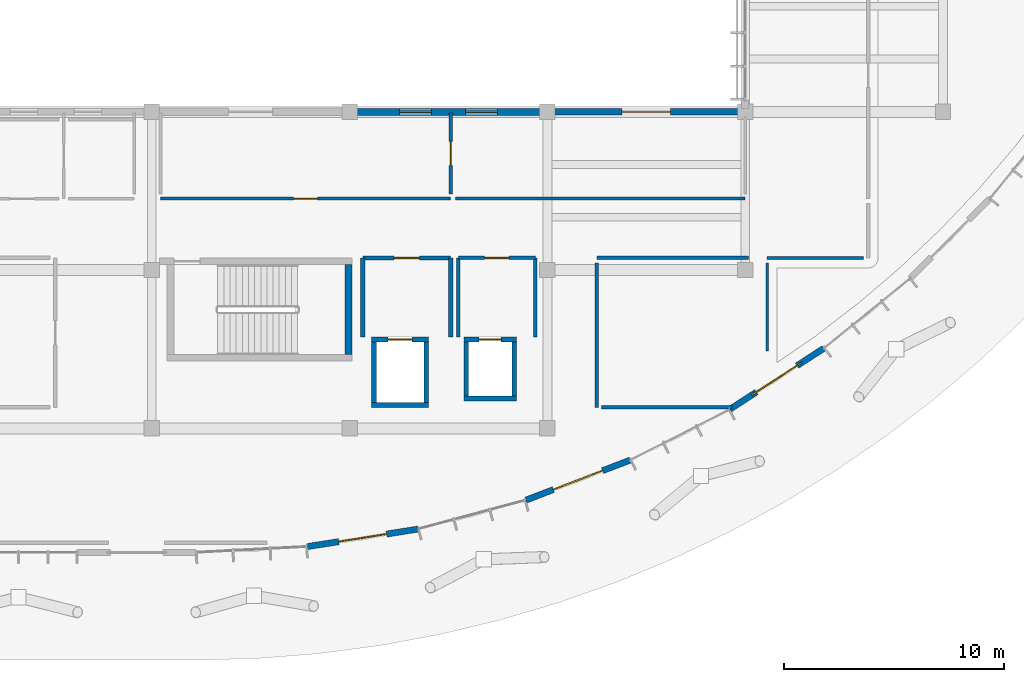
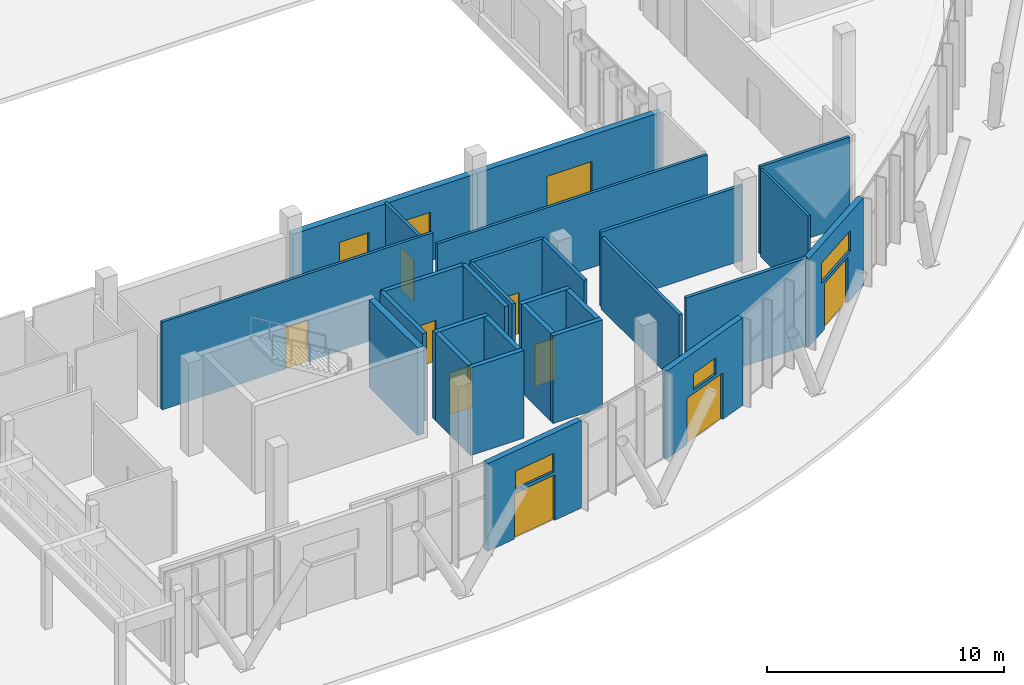
# One storey, part 126 of 151: 28 walls, 10 doors, 5 windows, 15 openings.
"""IFC4 building model written with IfcOpenShell, lengths in metres."""

from ifc_helpers import new_model, si_unit, direction, frame, frame_2d, origin, place, context, subcontext, project, spatial, rectangle, extrude, material, layer, layer_set, type_object, element, fill, save


model = new_model("IFC4")

# Units and contexts
model_context = context("Model", 3, precision=1e-05, world=origin(), true_north=direction((0.0, 1.0)))
body_context = subcontext(model_context, "Body", "Model", "MODEL_VIEW")
ifc_project = project(units=[si_unit("LENGTHUNIT", "METRE"), si_unit("AREAUNIT", "SQUARE_METRE"), si_unit("VOLUMEUNIT", "CUBIC_METRE"), si_unit("PLANEANGLEUNIT", "RADIAN"), si_unit("MASSUNIT", "GRAM", prefix="KILO")], contexts=[model_context])

# Site, building, storey
site_placement = place(None, origin())
site = spatial("IfcSite", under=ifc_project, at=site_placement, CompositionType="ELEMENT")
building_placement = place(site_placement, origin())
building = spatial("IfcBuilding", under=site, at=building_placement, Name="Chiffa Square Polytechnic", CompositionType="ELEMENT")
storey_placement = place(building_placement, origin())
storey = spatial("IfcBuildingStorey", under=building, at=storey_placement, Name="L00", CompositionType="ELEMENT", Elevation=0.0)

# Wall
ifc_material_1 = material(Name="Concrete C40/50", Category="concrete")
ifc_layer_1 = layer(ifc_material_1, 0.300048828125, Name="Concrete C40/50")
ifc_layer_set_1 = layer_set([ifc_layer_1], Name="Concrete C40/50")
wall_type_1 = type_object("IfcWallType", Name="WL-CORE-300", PredefinedType="SHEAR", material=ifc_layer_set_1)
wall_1_placement = place(storey_placement, frame((130.14990234375, 17.75, 0.0), z_axis=(0.0, 0.0, 1.0), x_axis=(0.0, 1.0, 0.0)))
element("IfcWall", 1, at=wall_1_placement, inside=storey, type_object=wall_type_1, Name="Core or enclosure wall WC-CORE-V1A-L00-EAST", PredefinedType="SHEAR", context=body_context, shape_type="SweptSolid", body=[
    extrude(rectangle(XDim=4.10009765625, YDim=0.300048828125, at=frame_2d((2.050048828125, 0.0))), origin(), (0.0, 0.0, 1.0), 4.52001953125),
])

# Wall, openings, door, window
ifc_material_2 = material(Name="Precast concrete C40/50", Category="concrete")
ifc_layer_2 = layer(ifc_material_2, 0.280029296875, Name="Precast concrete C40/50")
ifc_layer_set_2 = layer_set([ifc_layer_2], Name="Precast concrete C40/50")
wall_type_2 = type_object("IfcWallType", Name="WL-EXT-PC280", PredefinedType="SOLIDWALL", material=ifc_layer_set_2)
wall_2_placement = place(storey_placement, frame((128.280029296875, 9.01611328125, 0.0), z_axis=(0.0, 0.0, 1.0), x_axis=(0.98768736594, 0.156440618646, 0.0)))
wall_2 = element("IfcWall", 2, at=wall_2_placement, inside=storey, type_object=wall_type_2, Name="Chiffa Square portico entrance wall WE-V1-L00-PORTAL-03", PredefinedType="SOLIDWALL", context=body_context, shape_type="SweptSolid", body=[
    extrude(rectangle(XDim=5.087646484375, YDim=0.280029296875, at=frame_2d((2.5439453125, 0.0))), origin(), (0.0, 0.0, 1.0), 4.52001953125),
])
opening_1_placement = place(wall_2_placement, frame((1.444091796875, 0.0, 0.0)))
opening_1 = element("IfcOpeningElement", 3, at=opening_1_placement, cuts=wall_2, Name="Opening DE-L00-002", PredefinedType="OPENING", context=body_context, shape_type="SweptSolid", body=[
    extrude(rectangle(XDim=2.199951171875, YDim=2.35009765625, at=frame_2d((1.10009765625, 1.175048828125))), frame((0.0, 0.14990234375, 0.0), z_axis=(0.0, -1.0, 0.0), x_axis=(1.0, 0.0, 0.0)), (0.0, 0.0, 1.0), 0.300048828125),
])
opening_2_placement = place(wall_2_placement, frame((1.493896484375, 0.0, 2.530029296875)))
opening_2 = element("IfcOpeningElement", 4, at=opening_2_placement, cuts=wall_2, Name="Opening WCL-04", PredefinedType="OPENING", context=body_context, shape_type="SweptSolid", body=[
    extrude(rectangle(XDim=2.10009765625, YDim=0.949951171875, at=frame_2d((1.050048828125, 0.47509765625))), frame((0.0, 0.14990234375, 0.0), z_axis=(0.0, -1.0, 0.0), x_axis=(1.0, 0.0, 0.0)), (0.0, 0.0, 1.0), 0.300048828125),
])
ifc_material_3 = material(Name="Aluminium and laminated safety glass", Category="aluminium")
door_type_1 = type_object("IfcDoorType", Name="DR-EXIT-DBL-2200", OperationType="DOUBLE_DOOR_SINGLE_SWING", PredefinedType="DOOR", material=ifc_material_3)
door_1_placement = place(opening_1_placement, origin())
door_1 = element("IfcDoor", 5, at=door_1_placement, inside=storey, type_object=door_type_1, Name="Faculty prow portico entrance door DE-L00-002", OperationType="DOUBLE_DOOR_SINGLE_SWING", OverallHeight=2.35009765625, OverallWidth=2.199951171875, PredefinedType="DOOR", context=body_context, shape_type="SweptSolid", body=[
    extrude(rectangle(XDim=2.199951171875, YDim=2.35009765625, at=frame_2d((1.10009765625, 1.175048828125))), frame((0.0, 0.02490234375, 0.0), z_axis=(0.0, -1.0, 0.0), x_axis=(1.0, 0.0, 0.0)), (0.0, 0.0, 1.0), 0.050048828125),
])
fill(opening_1, door_1)
ifc_material_4 = material(Name="Double glazing in thermally broken aluminium frame", Category="aluminium")
window_type_1 = type_object("IfcWindowType", Name="WIN-CLR-2100X0950", PartitioningType="DOUBLE_PANEL_VERTICAL", PredefinedType="WINDOW", material=ifc_material_4)
window_1_placement = place(opening_2_placement, origin())
window_1 = element("IfcWindow", 6, at=window_1_placement, inside=storey, type_object=window_type_1, Name="Entrance transom clerestory WN-L00-0002", OverallHeight=0.949951171875, OverallWidth=2.10009765625, PartitioningType="DOUBLE_PANEL_VERTICAL", PredefinedType="WINDOW", context=body_context, shape_type="SweptSolid", body=[
    extrude(rectangle(XDim=2.10009765625, YDim=0.949951171875, at=frame_2d((1.050048828125, 0.47509765625))), frame((0.0, 0.030029296875, 0.0), z_axis=(0.0, -1.0, 0.0), x_axis=(1.0, 0.0, 0.0)), (0.0, 0.0, 1.0), 0.06005859375),
])
fill(opening_2, window_1)

wall_3_placement = place(storey_placement, frame((138.218017578125, 11.12890625, 0.0), z_axis=(0.0, 0.0, 1.0), x_axis=(0.933579193457, 0.358371161708, 0.0)))
wall_3 = element("IfcWall", 7, at=wall_3_placement, inside=storey, type_object=wall_type_2, Name="Chiffa Square portico entrance wall WE-V1-L00-PORTAL-05", PredefinedType="SOLIDWALL", context=body_context, shape_type="SweptSolid", body=[
    extrude(rectangle(XDim=5.0869140625, YDim=0.280029296875, at=frame_2d((2.54345703125, 0.0))), origin(), (0.0, 0.0, 1.0), 4.52001953125),
])
opening_3_placement = place(wall_3_placement, frame((1.343017578125, 0.0, 0.0)))
opening_3 = element("IfcOpeningElement", 8, at=opening_3_placement, cuts=wall_3, Name="Opening DE-L00-003", PredefinedType="OPENING", context=body_context, shape_type="SweptSolid", body=[
    extrude(rectangle(XDim=2.39990234375, YDim=2.39990234375, at=frame_2d((1.199951171875, 1.199951171875))), frame((0.0, 0.14990234375, 0.0), z_axis=(0.0, -1.0, 0.0), x_axis=(1.0, 0.0, 0.0)), (0.0, 0.0, 1.0), 0.300048828125),
])
opening_4_placement = place(wall_3_placement, frame((1.79296875, 0.0, 2.580078125)))
opening_4 = element("IfcOpeningElement", 9, at=opening_4_placement, cuts=wall_3, Name="Opening WCL-06", PredefinedType="OPENING", context=body_context, shape_type="SweptSolid", body=[
    extrude(rectangle(XDim=1.5, YDim=0.85009765625, at=frame_2d((0.75, 0.425048828125))), frame((0.0, 0.14990234375, 0.0), z_axis=(0.0, -1.0, 0.0), x_axis=(1.0, 0.0, 0.0)), (0.0, 0.0, 1.0), 0.300048828125),
])
door_type_2 = type_object("IfcDoorType", Name="DR-EXIT-DBL-2400", OperationType="DOUBLE_DOOR_SINGLE_SWING", PredefinedType="DOOR", material=ifc_material_3)
door_2_placement = place(opening_3_placement, origin())
door_2 = element("IfcDoor", 10, at=door_2_placement, inside=storey, type_object=door_type_2, Name="Faculty prow portico entrance door DE-L00-003", OperationType="DOUBLE_DOOR_SINGLE_SWING", OverallHeight=2.39990234375, OverallWidth=2.39990234375, PredefinedType="DOOR", context=body_context, shape_type="SweptSolid", body=[
    extrude(rectangle(XDim=2.39990234375, YDim=2.39990234375, at=frame_2d((1.199951171875, 1.199951171875))), frame((0.0, 0.02490234375, 0.0), z_axis=(0.0, -1.0, 0.0), x_axis=(1.0, 0.0, 0.0)), (0.0, 0.0, 1.0), 0.050048828125),
])
fill(opening_3, door_2)
window_type_2 = type_object("IfcWindowType", Name="WIN-CLR-1500X0850", PartitioningType="DOUBLE_PANEL_VERTICAL", PredefinedType="WINDOW", material=ifc_material_4)
window_2_placement = place(opening_4_placement, origin())
window_2 = element("IfcWindow", 11, at=window_2_placement, inside=storey, type_object=window_type_2, Name="Entrance transom clerestory WN-L00-0003", OverallHeight=0.85009765625, OverallWidth=1.5, PartitioningType="DOUBLE_PANEL_VERTICAL", PredefinedType="WINDOW", context=body_context, shape_type="SweptSolid", body=[
    extrude(rectangle(XDim=1.5, YDim=0.85009765625, at=frame_2d((0.75, 0.425048828125))), frame((0.0, 0.030029296875, 0.0), z_axis=(0.0, -1.0, 0.0), x_axis=(1.0, 0.0, 0.0)), (0.0, 0.0, 1.0), 0.06005859375),
])
fill(opening_4, window_2)

wall_4_placement = place(storey_placement, frame((147.5, 15.260986328125, 0.0), z_axis=(0.0, 0.0, 1.0), x_axis=(0.838621203111, 0.544715042653, 0.0)))
wall_4 = element("IfcWall", 12, at=wall_4_placement, inside=storey, type_object=wall_type_2, Name="Chiffa Square portico entrance wall WE-V1-L00-PORTAL-07", PredefinedType="SOLIDWALL", context=body_context, shape_type="SweptSolid", body=[
    extrude(rectangle(XDim=5.087158203125, YDim=0.280029296875, at=frame_2d((2.54345703125, 0.0))), origin(), (0.0, 0.0, 1.0), 4.52001953125),
])
opening_5_placement = place(wall_4_placement, frame((1.443115234375, 0.0, 0.0)))
opening_5 = element("IfcOpeningElement", 13, at=opening_5_placement, cuts=wall_4, Name="Opening DE-L00-004", PredefinedType="OPENING", context=body_context, shape_type="SweptSolid", body=[
    extrude(rectangle(XDim=2.199951171875, YDim=2.35009765625, at=frame_2d((1.10009765625, 1.175048828125))), frame((0.0, 0.14990234375, 0.0), z_axis=(0.0, -1.0, 0.0), x_axis=(1.0, 0.0, 0.0)), (0.0, 0.0, 1.0), 0.300048828125),
])
opening_6_placement = place(wall_4_placement, frame((1.193115234375, 0.0, 2.530029296875)))
opening_6 = element("IfcOpeningElement", 14, at=opening_6_placement, cuts=wall_4, Name="Opening WCL-02", PredefinedType="OPENING", context=body_context, shape_type="SweptSolid", body=[
    extrude(rectangle(XDim=2.699951171875, YDim=1.050048828125, at=frame_2d((1.35009765625, 0.52490234375))), frame((0.0, 0.14990234375, 0.0), z_axis=(0.0, -1.0, 0.0), x_axis=(1.0, 0.0, 0.0)), (0.0, 0.0, 1.0), 0.300048828125),
])
door_3_placement = place(opening_5_placement, origin())
door_3 = element("IfcDoor", 15, at=door_3_placement, inside=storey, type_object=door_type_1, Name="Faculty prow portico entrance door DE-L00-004", OperationType="DOUBLE_DOOR_SINGLE_SWING", OverallHeight=2.35009765625, OverallWidth=2.199951171875, PredefinedType="DOOR", context=body_context, shape_type="SweptSolid", body=[
    extrude(rectangle(XDim=2.199951171875, YDim=2.35009765625, at=frame_2d((1.10009765625, 1.175048828125))), frame((0.0, 0.02490234375, 0.0), z_axis=(0.0, -1.0, 0.0), x_axis=(1.0, 0.0, 0.0)), (0.0, 0.0, 1.0), 0.050048828125),
])
fill(opening_5, door_3)
window_type_3 = type_object("IfcWindowType", Name="WIN-CLR-2700X1050", PartitioningType="DOUBLE_PANEL_VERTICAL", PredefinedType="WINDOW", material=ifc_material_4)
window_3_placement = place(opening_6_placement, origin())
window_3 = element("IfcWindow", 16, at=window_3_placement, inside=storey, type_object=window_type_3, Name="Entrance transom clerestory WN-L00-0004", OverallHeight=1.050048828125, OverallWidth=2.699951171875, PartitioningType="DOUBLE_PANEL_VERTICAL", PredefinedType="WINDOW", context=body_context, shape_type="SweptSolid", body=[
    extrude(rectangle(XDim=2.699951171875, YDim=1.050048828125, at=frame_2d((1.35009765625, 0.52490234375))), frame((0.0, 0.030029296875, 0.0), z_axis=(0.0, -1.0, 0.0), x_axis=(1.0, 0.0, 0.0)), (0.0, 0.0, 1.0), 0.06005859375),
])
fill(opening_6, window_3)

# Wall, opening, door
ifc_layer_3 = layer(ifc_material_2, 0.300048828125, Name="Precast concrete C40/50")
ifc_layer_set_3 = layer_set([ifc_layer_3], Name="Precast concrete C40/50")
wall_type_3 = type_object("IfcWallType", Name="WL-EXT-PC300", PredefinedType="SOLIDWALL", material=ifc_layer_set_3)
wall_5_placement = place(storey_placement, frame((148.199951171875, 28.800048828125, 0.0), z_axis=(0.0, 0.0, 1.0), x_axis=(-1.0, 0.0, 0.0)))
wall_5 = element("IfcWall", 17, at=wall_5_placement, inside=storey, type_object=wall_type_3, Name="Exterior wall WE-V1-L00-0014", PredefinedType="SOLIDWALL", context=body_context, shape_type="SweptSolid", body=[
    extrude(rectangle(XDim=9.0, YDim=0.300048828125, at=frame_2d((4.5, 0.0))), origin(), (0.0, 0.0, 1.0), 3.705078125),
])
opening_7_placement = place(wall_5_placement, frame((3.39990234375, 0.0, 0.0)))
opening_7 = element("IfcOpeningElement", 18, at=opening_7_placement, cuts=wall_5, Name="Opening DE-L00-011", PredefinedType="OPENING", context=body_context, shape_type="SweptSolid", body=[
    extrude(rectangle(XDim=2.199951171875, YDim=2.35009765625, at=frame_2d((1.10009765625, 1.175048828125))), frame((0.0, 0.16015625, 0.0), z_axis=(0.0, -1.0, 0.0), x_axis=(1.0, 0.0, 0.0)), (0.0, 0.0, 1.0), 0.320068359375),
])
door_4_placement = place(opening_7_placement, origin())
door_4 = element("IfcDoor", 19, at=door_4_placement, inside=storey, type_object=door_type_1, Name="Exterior door DE-L00-011", OperationType="DOUBLE_DOOR_SINGLE_SWING", OverallHeight=2.35009765625, OverallWidth=2.199951171875, PredefinedType="DOOR", context=body_context, shape_type="SweptSolid", body=[
    extrude(rectangle(XDim=2.199951171875, YDim=2.35009765625, at=frame_2d((1.10009765625, 1.175048828125))), frame((0.0, 0.02490234375, 0.0), z_axis=(0.0, -1.0, 0.0), x_axis=(1.0, 0.0, 0.0)), (0.0, 0.0, 1.0), 0.050048828125),
])
fill(opening_7, door_4)

# Wall, openings, windows
ifc_layer_4 = layer(ifc_material_2, 0.320068359375, Name="Precast concrete C40/50")
ifc_layer_set_4 = layer_set([ifc_layer_4], Name="Precast concrete C40/50")
wall_type_4 = type_object("IfcWallType", Name="WL-EXT-PC320", PredefinedType="SOLIDWALL", material=ifc_layer_set_4)
wall_6_placement = place(storey_placement, frame((139.199951171875, 28.800048828125, 0.0), z_axis=(0.0, 0.0, 1.0), x_axis=(-1.0, 0.0, 0.0)))
wall_6 = element("IfcWall", 20, at=wall_6_placement, inside=storey, type_object=wall_type_4, Name="Exterior wall WE-V1-L00-0015", PredefinedType="SOLIDWALL", context=body_context, shape_type="SweptSolid", body=[
    extrude(rectangle(XDim=9.0, YDim=0.320068359375, at=frame_2d((4.5, 0.0))), origin(), (0.0, 0.0, 1.0), 3.705078125),
])
opening_8_placement = place(wall_6_placement, frame((2.27490234375, 0.0, 0.89990234375)))
opening_8 = element("IfcOpeningElement", 21, at=opening_8_placement, cuts=wall_6, Name="Opening W-16", PredefinedType="OPENING", context=body_context, shape_type="SweptSolid", body=[
    extrude(rectangle(XDim=1.449951171875, YDim=1.60009765625, at=frame_2d((0.72509765625, 0.800048828125))), frame((0.0, 0.169921875, 0.0), z_axis=(0.0, -1.0, 0.0), x_axis=(1.0, 0.0, 0.0)), (0.0, 0.0, 1.0), 0.340087890625),
])
opening_9_placement = place(wall_6_placement, frame((5.27490234375, 0.0, 0.89990234375)))
opening_9 = element("IfcOpeningElement", 22, at=opening_9_placement, cuts=wall_6, Name="Opening W-16", PredefinedType="OPENING", context=body_context, shape_type="SweptSolid", body=[
    extrude(rectangle(XDim=1.449951171875, YDim=1.60009765625, at=frame_2d((0.72509765625, 0.800048828125))), frame((0.0, 0.169921875, 0.0), z_axis=(0.0, -1.0, 0.0), x_axis=(1.0, 0.0, 0.0)), (0.0, 0.0, 1.0), 0.340087890625),
])
window_type_4 = type_object("IfcWindowType", Name="WIN-OFF-1450X1600", PartitioningType="DOUBLE_PANEL_VERTICAL", PredefinedType="WINDOW", material=ifc_material_4)
window_4_placement = place(opening_8_placement, origin())
window_4 = element("IfcWindow", 23, at=window_4_placement, inside=storey, type_object=window_type_4, Name="Facade window WN-L00-0009", OverallHeight=1.60009765625, OverallWidth=1.449951171875, PartitioningType="DOUBLE_PANEL_VERTICAL", PredefinedType="WINDOW", context=body_context, shape_type="SweptSolid", body=[
    extrude(rectangle(XDim=1.449951171875, YDim=1.60009765625, at=frame_2d((0.72509765625, 0.800048828125))), frame((0.0, 0.030029296875, 0.0), z_axis=(0.0, -1.0, 0.0), x_axis=(1.0, 0.0, 0.0)), (0.0, 0.0, 1.0), 0.06005859375),
])
fill(opening_8, window_4)
window_5_placement = place(opening_9_placement, origin())
window_5 = element("IfcWindow", 24, at=window_5_placement, inside=storey, type_object=window_type_4, Name="Facade window WN-L00-0010", OverallHeight=1.60009765625, OverallWidth=1.449951171875, PartitioningType="DOUBLE_PANEL_VERTICAL", PredefinedType="WINDOW", context=body_context, shape_type="SweptSolid", body=[
    extrude(rectangle(XDim=1.449951171875, YDim=1.60009765625, at=frame_2d((0.72509765625, 0.800048828125))), frame((0.0, 0.030029296875, 0.0), z_axis=(0.0, -1.0, 0.0), x_axis=(1.0, 0.0, 0.0)), (0.0, 0.0, 1.0), 0.06005859375),
])
fill(opening_9, window_5)

# Wall
ifc_material_5 = material(Name="Gypsum board on steel stud", Category="steel")
ifc_layer_5 = layer(ifc_material_5, 0.125, Name="Gypsum board on steel stud")
ifc_layer_set_5 = layer_set([ifc_layer_5], Name="Gypsum board on steel stud")
wall_type_5 = type_object("IfcWallType", Name="WL-PART-125", PredefinedType="PARTITIONING", material=ifc_layer_set_5)
wall_7_placement = place(storey_placement, frame((149.199951171875, 17.924072265625, 0.0), z_axis=(0.0, 0.0, 1.0), x_axis=(0.0, 1.0, 0.0)))
element("IfcWall", 25, at=wall_7_placement, inside=storey, type_object=wall_type_5, Name="Interior partition WP-V1-L00-0149", PredefinedType="PARTITIONING", context=body_context, shape_type="SweptSolid", body=[
    extrude(rectangle(XDim=4.005859375, YDim=0.125, at=frame_2d((2.0029296875, 0.0))), origin(), (0.0, 0.0, 1.0), 4.52001953125),
])

# Wall, opening, door
ifc_layer_6 = layer(ifc_material_5, 0.135009765625, Name="Gypsum board on steel stud")
ifc_layer_set_6 = layer_set([ifc_layer_6], Name="Gypsum board on steel stud")
wall_type_6 = type_object("IfcWallType", Name="WL-PART-135", PredefinedType="PARTITIONING", material=ifc_layer_set_6)
wall_8_placement = place(storey_placement, frame((121.60009765625, 24.85009765625, 0.0), z_axis=(0.0, 0.0, 1.0), x_axis=(1.0, 0.0, 0.0)))
wall_8 = element("IfcWall", 26, at=wall_8_placement, inside=storey, type_object=wall_type_6, Name="Interior partition WP-V1-L00-0118", PredefinedType="PARTITIONING", context=body_context, shape_type="SweptSolid", body=[
    extrude(rectangle(XDim=13.199951171875, YDim=0.135009765625, at=frame_2d((6.60009765625, 0.0))), origin(), (0.0, 0.0, 1.0), 4.52001953125),
])
opening_10_placement = place(wall_8_placement, frame((6.050048828125, 0.0, 0.0)))
opening_10 = element("IfcOpeningElement", 27, at=opening_10_placement, cuts=wall_8, Name="Opening DI-L00-082", PredefinedType="OPENING", context=body_context, shape_type="SweptSolid", body=[
    extrude(rectangle(XDim=1.10009765625, YDim=2.14990234375, at=frame_2d((0.550048828125, 1.074951171875))), frame((0.0, 0.07763671875, 0.0), z_axis=(0.0, -1.0, 0.0), x_axis=(1.0, 0.0, 0.0)), (0.0, 0.0, 1.0), 0.155029296875),
])
ifc_material_6 = material(Name="Solid core ash veneer door")
door_type_3 = type_object("IfcDoorType", Name="DR-INT-1100", OperationType="NOTDEFINED", PredefinedType="DOOR", material=ifc_material_6)
door_5_placement = place(opening_10_placement, origin())
door_5 = element("IfcDoor", 28, at=door_5_placement, inside=storey, type_object=door_type_3, Name="Interior room door DI-L00-082", OperationType="SINGLE_SWING_LEFT", OverallHeight=2.14990234375, OverallWidth=1.10009765625, PredefinedType="DOOR", context=body_context, shape_type="SweptSolid", body=[
    extrude(rectangle(XDim=1.10009765625, YDim=2.14990234375, at=frame_2d((0.550048828125, 1.074951171875))), frame((0.0, 0.02490234375, 0.0), z_axis=(0.0, -1.0, 0.0), x_axis=(1.0, 0.0, 0.0)), (0.0, 0.0, 1.0), 0.050048828125),
])
fill(opening_10, door_5)

# Wall
wall_9_placement = place(storey_placement, frame((135.02001953125, 24.85009765625, 0.0), z_axis=(0.0, 0.0, 1.0), x_axis=(1.0, 0.0, 0.0)))
element("IfcWall", 29, at=wall_9_placement, inside=storey, type_object=wall_type_6, Name="Interior partition WP-V1-L00-0121", PredefinedType="PARTITIONING", context=body_context, shape_type="SweptSolid", body=[
    extrude(rectangle(XDim=13.179931640625, YDim=0.135009765625, at=frame_2d((6.58984375, 0.0))), origin(), (0.0, 0.0, 1.0), 3.85498046875),
])

# Wall, opening, door
ifc_layer_7 = layer(ifc_material_5, 0.14501953125, Name="Gypsum board on steel stud")
ifc_layer_set_7 = layer_set([ifc_layer_7], Name="Gypsum board on steel stud")
wall_type_7 = type_object("IfcWallType", Name="WL-PART-145", PredefinedType="PARTITIONING", material=ifc_layer_set_7)
wall_10_placement = place(storey_placement, frame((134.800048828125, 25.070068359375, 0.0), z_axis=(0.0, 0.0, 1.0), x_axis=(0.0, 1.0, 0.0)))
wall_10 = element("IfcWall", 30, at=wall_10_placement, inside=storey, type_object=wall_type_7, Name="Interior partition WP-V1-L00-0120", PredefinedType="PARTITIONING", context=body_context, shape_type="SweptSolid", body=[
    extrude(rectangle(XDim=3.675048828125, YDim=0.14501953125, at=frame_2d((1.83740234375, 0.0))), origin(), (0.0, 0.0, 1.0), 3.705078125),
])
opening_11_placement = place(wall_10_placement, frame((1.2880859375, 0.0, 0.0)))
opening_11 = element("IfcOpeningElement", 31, at=opening_11_placement, cuts=wall_10, Name="Opening DI-L00-083", PredefinedType="OPENING", context=body_context, shape_type="SweptSolid", body=[
    extrude(rectangle(XDim=1.10009765625, YDim=2.14990234375, at=frame_2d((0.550048828125, 1.074951171875))), frame((0.0, 0.08251953125, 0.0), z_axis=(0.0, -1.0, 0.0), x_axis=(1.0, 0.0, 0.0)), (0.0, 0.0, 1.0), 0.1650390625),
])
door_6_placement = place(opening_11_placement, origin())
door_6 = element("IfcDoor", 32, at=door_6_placement, inside=storey, type_object=door_type_3, Name="Interior room door DI-L00-083", OperationType="SINGLE_SWING_RIGHT", OverallHeight=2.14990234375, OverallWidth=1.10009765625, PredefinedType="DOOR", context=body_context, shape_type="SweptSolid", body=[
    extrude(rectangle(XDim=1.10009765625, YDim=2.14990234375, at=frame_2d((0.550048828125, 1.074951171875))), frame((0.0, 0.02490234375, 0.0), z_axis=(0.0, -1.0, 0.0), x_axis=(1.0, 0.0, 0.0)), (0.0, 0.0, 1.0), 0.050048828125),
])
fill(opening_11, door_6)

# Wall
wall_11_placement = place(storey_placement, frame((149.199951171875, 22.14990234375, 0.0), z_axis=(0.0, 0.0, 1.0), x_axis=(1.0, 0.0, 0.0)))
element("IfcWall", 33, at=wall_11_placement, inside=storey, type_object=wall_type_7, Name="Interior partition WP-V1-L00-0147", PredefinedType="PARTITIONING", context=body_context, shape_type="SweptSolid", body=[
    extrude(rectangle(XDim=4.380126953125, YDim=0.14501953125, at=frame_2d((2.18994140625, 0.0))), origin(), (0.0, 0.0, 1.0), 4.52001953125),
])

# Wall, opening, door
ifc_material_7 = material(Name="Autoclaved aerated concrete blockwork", Category="masonry")
ifc_layer_8 = layer(ifc_material_7, 0.199951171875, Name="Autoclaved aerated concrete blockwork")
ifc_layer_set_8 = layer_set([ifc_layer_8], Name="Autoclaved aerated concrete blockwork")
wall_type_8 = type_object("IfcWallType", Name="WL-PART-EI120-200", PredefinedType="PARTITIONING", material=ifc_layer_set_8)
wall_12_placement = place(storey_placement, frame((130.800048828125, 22.14990234375, 0.0), z_axis=(0.0, 0.0, 1.0), x_axis=(1.0, 0.0, 0.0)))
wall_12 = element("IfcWall", 34, at=wall_12_placement, inside=storey, type_object=wall_type_8, Name="Lift lobby rated enclosure WP-LOB-LF-V1-L00-NORTH", PredefinedType="PARTITIONING", context=body_context, shape_type="SweptSolid", body=[
    extrude(rectangle(XDim=4.0, YDim=0.199951171875, at=frame_2d((2.0, 0.0))), origin(), (0.0, 0.0, 1.0), 4.52001953125),
])
opening_12_placement = place(wall_12_placement, frame((1.425048828125, 0.0, 0.0)))
opening_12 = element("IfcOpeningElement", 35, at=opening_12_placement, cuts=wall_12, Name="Opening DI-L00-002", PredefinedType="OPENING", context=body_context, shape_type="SweptSolid", body=[
    extrude(rectangle(XDim=1.14990234375, YDim=2.14990234375, at=frame_2d((0.574951171875, 1.074951171875))), frame((0.0, 0.10986328125, 0.0), z_axis=(0.0, -1.0, 0.0), x_axis=(1.0, 0.0, 0.0)), (0.0, 0.0, 1.0), 0.219970703125),
])
ifc_material_8 = material(Name="Fire-rated steel door leaf", Category="steel")
door_type_4 = type_object("IfcDoorType", Name="DR-LOBBY-FD120", OperationType="NOTDEFINED", PredefinedType="DOOR", material=ifc_material_8)
door_7_placement = place(opening_12_placement, origin())
door_7 = element("IfcDoor", 36, at=door_7_placement, inside=storey, type_object=door_type_4, Name="Lift lobby fire door DI-L00-002", OperationType="SINGLE_SWING_LEFT", OverallHeight=2.14990234375, OverallWidth=1.14990234375, PredefinedType="DOOR", context=body_context, shape_type="SweptSolid", body=[
    extrude(rectangle(XDim=1.14990234375, YDim=2.14990234375, at=frame_2d((0.574951171875, 1.074951171875))), frame((0.0, 0.02490234375, 0.0), z_axis=(0.0, -1.0, 0.0), x_axis=(1.0, 0.0, 0.0)), (0.0, 0.0, 1.0), 0.050048828125),
])
fill(opening_12, door_7)

# Walls
for number, where, z_axis, x_axis, name in (
    (37, (130.800048828125, 18.550048828125, 0.0), (0.0, 0.0, 1.0), (0.0, 1.0, 0.0), "Lift lobby rated enclosure WP-LOB-LF-V1-L00-WEST"),
    (38, (134.800048828125, 18.550048828125, 0.0), (0.0, 0.0, 1.0), (0.0, 1.0, 0.0), "Lift lobby rated enclosure WP-LOB-LF-V1-L00-EAST"),
):
    element("IfcWall", number, at=place(storey_placement, frame(where, z_axis=z_axis, x_axis=x_axis)), inside=storey, type_object=wall_type_8, Name=name, PredefinedType="PARTITIONING", context=body_context, shape_type="SweptSolid", body=[
        extrude(rectangle(XDim=3.599853515625, YDim=0.199951171875, at=frame_2d((1.7998046875, 0.0))), origin(), (0.0, 0.0, 1.0), 4.52001953125),
    ])

# Wall, opening, door
ifc_material_9 = material(Name="Gypsum board on acoustic steel stud", Category="steel")
ifc_layer_9 = layer(ifc_material_9, 0.159912109375, Name="Gypsum board on acoustic steel stud")
ifc_layer_set_9 = layer_set([ifc_layer_9], Name="Gypsum board on acoustic steel stud")
wall_type_9 = type_object("IfcWallType", Name="WL-PART-EI60-160", PredefinedType="PARTITIONING", material=ifc_layer_set_9)
wall_13_placement = place(storey_placement, frame((135.14990234375, 22.14990234375, 0.0), z_axis=(0.0, 0.0, 1.0), x_axis=(1.0, 0.0, 0.0)))
wall_13 = element("IfcWall", 39, at=wall_13_placement, inside=storey, type_object=wall_type_9, Name="Lift lobby rated enclosure WP-LOB-LP-V1A-L00-NORTH", PredefinedType="PARTITIONING", context=body_context, shape_type="SweptSolid", body=[
    extrude(rectangle(XDim=3.5, YDim=0.159912109375, at=frame_2d((1.75, 0.0))), origin(), (0.0, 0.0, 1.0), 4.52001953125),
])
opening_13_placement = place(wall_13_placement, frame((1.199951171875, 0.0, 0.0)))
opening_13 = element("IfcOpeningElement", 40, at=opening_13_placement, cuts=wall_13, Name="Opening DI-L00-010", PredefinedType="OPENING", context=body_context, shape_type="SweptSolid", body=[
    extrude(rectangle(XDim=1.10009765625, YDim=2.14990234375, at=frame_2d((0.550048828125, 1.074951171875))), frame((0.0, 0.08984375, 0.0), z_axis=(0.0, -1.0, 0.0), x_axis=(1.0, 0.0, 0.0)), (0.0, 0.0, 1.0), 0.179931640625),
])
door_8_placement = place(opening_13_placement, origin())
door_8 = element("IfcDoor", 41, at=door_8_placement, inside=storey, type_object=door_type_3, Name="Lift lobby fire door DI-L00-010", OperationType="SINGLE_SWING_LEFT", OverallHeight=2.14990234375, OverallWidth=1.10009765625, PredefinedType="DOOR", context=body_context, shape_type="SweptSolid", body=[
    extrude(rectangle(XDim=1.10009765625, YDim=2.14990234375, at=frame_2d((0.550048828125, 1.074951171875))), frame((0.0, 0.02490234375, 0.0), z_axis=(0.0, -1.0, 0.0), x_axis=(1.0, 0.0, 0.0)), (0.0, 0.0, 1.0), 0.050048828125),
])
fill(opening_13, door_8)

# Walls
for number, where, z_axis, x_axis, name in (
    (42, (135.14990234375, 18.550048828125, 0.0), (0.0, 0.0, 1.0), (0.0, 1.0, 0.0), "Lift lobby rated enclosure WP-LOB-LP-V1A-L00-WEST"),
    (43, (138.64990234375, 18.550048828125, 0.0), (0.0, 0.0, 1.0), (0.0, 1.0, 0.0), "Lift lobby rated enclosure WP-LOB-LP-V1A-L00-EAST"),
):
    element("IfcWall", number, at=place(storey_placement, frame(where, z_axis=z_axis, x_axis=x_axis)), inside=storey, type_object=wall_type_9, Name=name, PredefinedType="PARTITIONING", context=body_context, shape_type="SweptSolid", body=[
        extrude(rectangle(XDim=3.599853515625, YDim=0.159912109375, at=frame_2d((1.7998046875, 0.0))), origin(), (0.0, 0.0, 1.0), 4.52001953125),
    ])
wall_14_placement = place(storey_placement, frame((141.449951171875, 22.14990234375, 0.0), z_axis=(0.0, 0.0, 1.0), x_axis=(1.0, 0.0, 0.0)))
element("IfcWall", 44, at=wall_14_placement, inside=storey, type_object=wall_type_9, Name="Interior partition WP-V1-L00-0201", PredefinedType="PARTITIONING", context=body_context, shape_type="SweptSolid", body=[
    extrude(rectangle(XDim=6.900146484375, YDim=0.159912109375, at=frame_2d((3.4501953125, 0.0))), origin(), (0.0, 0.0, 1.0), 3.85498046875),
])
wall_15_placement = place(storey_placement, frame((141.449951171875, 15.35009765625, 0.0), z_axis=(0.0, 0.0, 1.0), x_axis=(0.0, 1.0, 0.0)))
element("IfcWall", 45, at=wall_15_placement, inside=storey, type_object=wall_type_9, Name="Interior partition WP-V1-L00-0202", PredefinedType="PARTITIONING", context=body_context, shape_type="SweptSolid", body=[
    extrude(rectangle(XDim=6.579833984375, YDim=0.159912109375, at=frame_2d((3.2900390625, 0.0))), origin(), (0.0, 0.0, 1.0), 3.705078125),
])
wall_16_placement = place(storey_placement, frame((141.669921875, 15.35009765625, 0.0), z_axis=(0.0, 0.0, 1.0), x_axis=(1.0, 0.0, 0.0)))
element("IfcWall", 46, at=wall_16_placement, inside=storey, type_object=wall_type_9, Name="Interior partition WP-V1-L00-0203", PredefinedType="PARTITIONING", context=body_context, shape_type="SweptSolid", body=[
    extrude(rectangle(XDim=5.920166015625, YDim=0.159912109375, at=frame_2d((2.9599609375, 0.0))), origin(), (0.0, 0.0, 1.0), 4.52001953125),
])
ifc_material_10 = material(Name="Concrete C35/45", Category="concrete")
ifc_layer_10 = layer(ifc_material_10, 0.219970703125, Name="Concrete C35/45")
ifc_layer_set_10 = layer_set([ifc_layer_10], Name="Concrete C35/45")
wall_type_10 = type_object("IfcWallType", Name="WL-SHAFT-220", PredefinedType="SHEAR", material=ifc_layer_set_10)
wall_17_placement = place(storey_placement, frame((131.199951171875, 15.4599609375, 0.0), z_axis=(0.0, 0.0, 1.0), x_axis=(1.0, 0.0, 0.0)))
element("IfcWall", 47, at=wall_17_placement, inside=storey, type_object=wall_type_10, Name="Core or enclosure wall WS-LF-V1-L00-SOUTH", PredefinedType="SHEAR", context=body_context, shape_type="SweptSolid", body=[
    extrude(rectangle(XDim=2.60009765625, YDim=0.219970703125, at=frame_2d((1.300048828125, 0.0))), origin(), (0.0, 0.0, 1.0), 4.52001953125),
])

# Wall, opening, door
wall_18_placement = place(storey_placement, frame((131.199951171875, 18.43994140625, 0.0), z_axis=(0.0, 0.0, 1.0), x_axis=(1.0, 0.0, 0.0)))
wall_18 = element("IfcWall", 48, at=wall_18_placement, inside=storey, type_object=wall_type_10, Name="Core or enclosure wall WS-LF-V1-L00-NORTH", PredefinedType="SHEAR", context=body_context, shape_type="SweptSolid", body=[
    extrude(rectangle(XDim=2.60009765625, YDim=0.219970703125, at=frame_2d((1.300048828125, 0.0))), origin(), (0.0, 0.0, 1.0), 4.52001953125),
])
opening_14_placement = place(wall_18_placement, frame((0.75, 0.0, 0.0)))
opening_14 = element("IfcOpeningElement", 49, at=opening_14_placement, cuts=wall_18, Name="Opening LD-LF-V1-L00", PredefinedType="OPENING", context=body_context, shape_type="SweptSolid", body=[
    extrude(rectangle(XDim=1.10009765625, YDim=2.14990234375, at=frame_2d((0.550048828125, 1.074951171875))), frame((0.0, 0.1201171875, 0.0), z_axis=(0.0, -1.0, 0.0), x_axis=(1.0, 0.0, 0.0)), (0.0, 0.0, 1.0), 0.239990234375),
])
ifc_material_11 = material(Name="Brushed stainless steel sliding landing door", Category="steel")
door_type_5 = type_object("IfcDoorType", Name="DR-LIFT-1100", OperationType="SLIDING_TO_LEFT", PredefinedType="DOOR", material=ifc_material_11)
door_9_placement = place(opening_14_placement, origin())
door_9 = element("IfcDoor", 50, at=door_9_placement, inside=storey, type_object=door_type_5, Name="Enclosure door LD-LF-V1-L00", OperationType="SLIDING_TO_LEFT", OverallHeight=2.14990234375, OverallWidth=1.10009765625, PredefinedType="DOOR", context=body_context, shape_type="SweptSolid", body=[
    extrude(rectangle(XDim=1.10009765625, YDim=2.14990234375, at=frame_2d((0.550048828125, 1.074951171875))), frame((0.0, 0.02490234375, 0.0), z_axis=(0.0, -1.0, 0.0), x_axis=(1.0, 0.0, 0.0)), (0.0, 0.0, 1.0), 0.050048828125),
])
fill(opening_14, door_9)

# Walls
for number, where, z_axis, x_axis, name in (
    (51, (131.31005859375, 15.570068359375, 0.0), (0.0, 0.0, 1.0), (0.0, 1.0, 0.0), "Core or enclosure wall WS-LF-V1-L00-WEST"),
    (52, (133.68994140625, 15.570068359375, 0.0), (0.0, 0.0, 1.0), (0.0, 1.0, 0.0), "Core or enclosure wall WS-LF-V1-L00-EAST"),
):
    element("IfcWall", number, at=place(storey_placement, frame(where, z_axis=z_axis, x_axis=x_axis)), inside=storey, type_object=wall_type_10, Name=name, PredefinedType="SHEAR", context=body_context, shape_type="SweptSolid", body=[
        extrude(rectangle(XDim=2.760009765625, YDim=0.219970703125, at=frame_2d((1.3798828125, 0.0))), origin(), (0.0, 0.0, 1.0), 4.52001953125),
    ])
wall_19_placement = place(storey_placement, frame((135.39990234375, 15.760009765625, 0.0), z_axis=(0.0, 0.0, 1.0), x_axis=(1.0, 0.0, 0.0)))
element("IfcWall", 53, at=wall_19_placement, inside=storey, type_object=wall_type_10, Name="Core or enclosure wall WS-LP-V1A-L00-SOUTH", PredefinedType="SHEAR", context=body_context, shape_type="SweptSolid", body=[
    extrude(rectangle(XDim=2.400146484375, YDim=0.219970703125, at=frame_2d((1.2001953125, 0.0))), origin(), (0.0, 0.0, 1.0), 4.52001953125),
])

# Wall, opening, door
wall_20_placement = place(storey_placement, frame((135.39990234375, 18.43994140625, 0.0), z_axis=(0.0, 0.0, 1.0), x_axis=(1.0, 0.0, 0.0)))
wall_20 = element("IfcWall", 54, at=wall_20_placement, inside=storey, type_object=wall_type_10, Name="Core or enclosure wall WS-LP-V1A-L00-NORTH", PredefinedType="SHEAR", context=body_context, shape_type="SweptSolid", body=[
    extrude(rectangle(XDim=2.400146484375, YDim=0.219970703125, at=frame_2d((1.2001953125, 0.0))), origin(), (0.0, 0.0, 1.0), 4.52001953125),
])
opening_15_placement = place(wall_20_placement, frame((0.699951171875, 0.0, 0.0)))
opening_15 = element("IfcOpeningElement", 55, at=opening_15_placement, cuts=wall_20, Name="Opening LD-LP-V1A-L00", PredefinedType="OPENING", context=body_context, shape_type="SweptSolid", body=[
    extrude(rectangle(XDim=1.0, YDim=2.14990234375, at=frame_2d((0.5, 1.074951171875))), frame((0.0, 0.1201171875, 0.0), z_axis=(0.0, -1.0, 0.0), x_axis=(1.0, 0.0, 0.0)), (0.0, 0.0, 1.0), 0.239990234375),
])
door_type_6 = type_object("IfcDoorType", Name="DR-LIFT-1000", OperationType="SLIDING_TO_RIGHT", PredefinedType="DOOR", material=ifc_material_11)
door_10_placement = place(opening_15_placement, origin())
door_10 = element("IfcDoor", 56, at=door_10_placement, inside=storey, type_object=door_type_6, Name="Enclosure door LD-LP-V1A-L00", OperationType="SLIDING_TO_RIGHT", OverallHeight=2.14990234375, OverallWidth=1.0, PredefinedType="DOOR", context=body_context, shape_type="SweptSolid", body=[
    extrude(rectangle(XDim=1.0, YDim=2.14990234375, at=frame_2d((0.5, 1.074951171875))), frame((0.0, 0.02490234375, 0.0), z_axis=(0.0, -1.0, 0.0), x_axis=(1.0, 0.0, 0.0)), (0.0, 0.0, 1.0), 0.050048828125),
])
fill(opening_15, door_10)

# Walls
for number, where, z_axis, x_axis, name in (
    (57, (135.510009765625, 15.8701171875, 0.0), (0.0, 0.0, 1.0), (0.0, 1.0, 0.0), "Core or enclosure wall WS-LP-V1A-L00-WEST"),
    (58, (137.68994140625, 15.8701171875, 0.0), (0.0, 0.0, 1.0), (0.0, 1.0, 0.0), "Core or enclosure wall WS-LP-V1A-L00-EAST"),
):
    element("IfcWall", number, at=place(storey_placement, frame(where, z_axis=z_axis, x_axis=x_axis)), inside=storey, type_object=wall_type_10, Name=name, PredefinedType="SHEAR", context=body_context, shape_type="SweptSolid", body=[
        extrude(rectangle(XDim=2.4599609375, YDim=0.219970703125, at=frame_2d((1.22998046875, 0.0))), origin(), (0.0, 0.0, 1.0), 4.52001953125),
    ])

save(model, "model.ifc")
